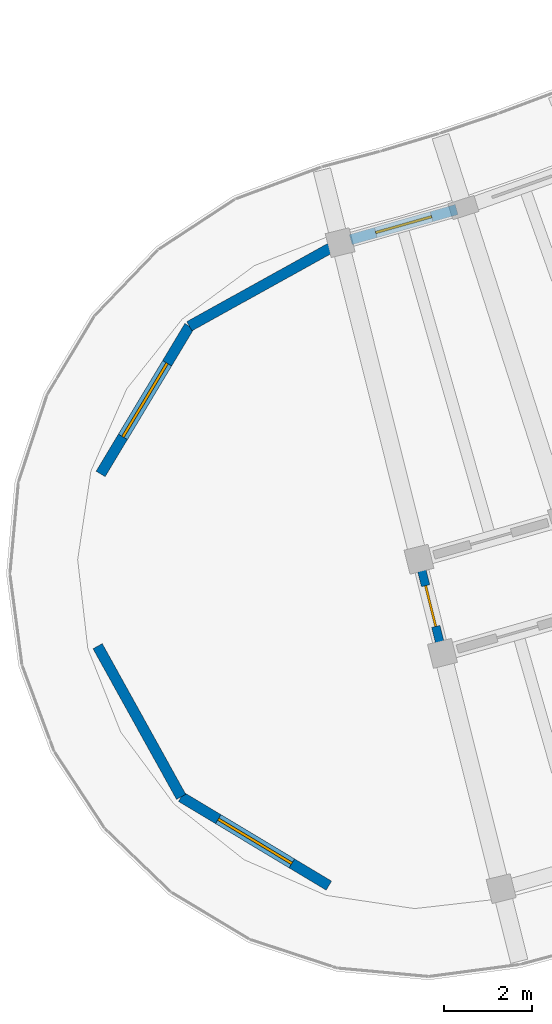
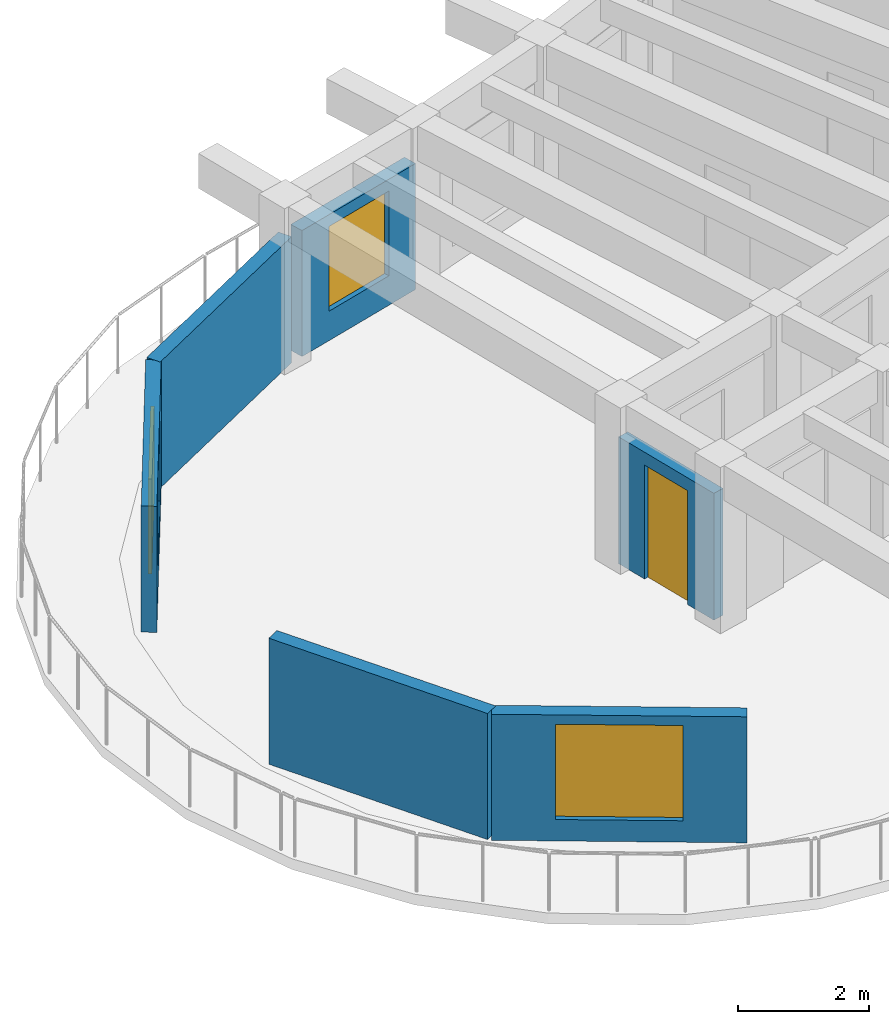
# One storey, part 45 of 81: 6 walls, 3 windows, 1 door, 4 openings.
"""IFC4 building model written with IfcOpenShell, lengths in metres."""

from ifc_helpers import new_model, si_unit, direction, frame, frame_2d, origin, place, context, subcontext, project, spatial, rectangle, extrude, material, layer, layer_set, type_object, element, fill, save


model = new_model("IFC4")

# Units and contexts
model_context = context("Model", 3, precision=1e-05, world=origin(), true_north=direction((0.0, 1.0)))
body_context = subcontext(model_context, "Body", "Model", "MODEL_VIEW")
ifc_project = project(units=[si_unit("LENGTHUNIT", "METRE"), si_unit("AREAUNIT", "SQUARE_METRE"), si_unit("VOLUMEUNIT", "CUBIC_METRE"), si_unit("PLANEANGLEUNIT", "RADIAN"), si_unit("MASSUNIT", "GRAM", prefix="KILO")], contexts=[model_context])

# Site, building, storey
site_placement = place(None, origin())
site = spatial("IfcSite", under=ifc_project, at=site_placement, CompositionType="ELEMENT")
building_placement = place(site_placement, origin())
building = spatial("IfcBuilding", under=site, at=building_placement, Name="Tanwirah Colonnade Gardens", CompositionType="ELEMENT")
storey_placement = place(building_placement, frame((0.0, 0.0, 8.840087890625)))
storey = spatial("IfcBuildingStorey", under=building, at=storey_placement, Name="L02", CompositionType="ELEMENT", Elevation=8.840087890625)

# Wall, opening, window
ifc_material_1 = material(Name="Limestone architectural precast concrete C40/50", Category="masonry")
ifc_layer_1 = layer(ifc_material_1, 0.239990234375)
ifc_layer_set_1 = layer_set([ifc_layer_1], Name="Limestone architectural precast concrete C40/50")
wall_type_1 = type_object("IfcWallType", Name="EW-PC240", PredefinedType="SOLIDWALL", material=ifc_layer_set_1)
wall_1_placement = place(storey_placement, frame((131.993896484375, 21.438720703125, 0.0), z_axis=(0.0, 0.0, 1.0), x_axis=(0.961847744742, 0.273585299195, 0.0)))
wall_1 = element("IfcWall", 1, at=wall_1_placement, inside=storey, type_object=wall_type_1, Name="Block D L02 IN Precast Facade Wall 0", PredefinedType="SOLIDWALL", context=body_context, shape_type="SweptSolid", body=[
    extrude(rectangle(XDim=2.49853515625, YDim=0.239990234375, at=frame_2d((1.249267578125, 0.0))), origin(), (0.0, 0.0, 1.0), 2.35498046875),
])
opening_1_placement = place(wall_1_placement, frame((0.58935546875, 0.0, 0.550048828125)))
opening_1 = element("IfcOpeningElement", 2, at=opening_1_placement, cuts=wall_1, Name="Opening WIN-U05", PredefinedType="OPENING", context=body_context, shape_type="SweptSolid", body=[
    extrude(rectangle(XDim=1.320068359375, YDim=1.5849609375, at=frame_2d((0.66015625, 0.79248046875))), frame((0.0, 0.1298828125, 0.0), z_axis=(0.0, -1.0, 0.0), x_axis=(1.0, 0.0, 0.0)), (0.0, 0.0, 1.0), 0.260009765625),
])
ifc_material_2 = material(Name="Thermally broken bronze aluminium and solar low-E double glazing", Category="aluminium")
window_type_1 = type_object("IfcWindowType", Name="WIN-U05", PartitioningType="DOUBLE_PANEL_VERTICAL", PredefinedType="WINDOW", material=ifc_material_2)
window_1_placement = place(opening_1_placement, origin())
window_1 = element("IfcWindow", 3, at=window_1_placement, inside=storey, type_object=window_type_1, Name="Facade window D-L02-IN-00", OverallHeight=1.5849609375, OverallWidth=1.320068359375, PartitioningType="SINGLE_PANEL", PredefinedType="WINDOW", context=body_context, shape_type="SweptSolid", body=[
    extrude(rectangle(XDim=1.320068359375, YDim=1.5849609375, at=frame_2d((0.66015625, 0.79248046875))), frame((0.0, 0.030029296875, 0.0), z_axis=(0.0, -1.0, 0.0), x_axis=(1.0, 0.0, 0.0)), (0.0, 0.0, 1.0), 0.06005859375),
])
fill(opening_1, window_1)

wall_2_placement = place(storey_placement, frame((131.498779296875, 6.787109375, 0.0), z_axis=(0.0, 0.0, 1.0), x_axis=(-0.85715098885, 0.515065221417, 0.0)))
wall_2 = element("IfcWall", 4, at=wall_2_placement, inside=storey, type_object=wall_type_1, Name="Block D L02 START Rounded End Wall 1", PredefinedType="SOLIDWALL", context=body_context, shape_type="SweptSolid", body=[
    extrude(rectangle(XDim=3.908203125, YDim=0.239990234375, at=frame_2d((1.9541015625, 0.0))), origin(), (0.0, 0.0, 1.0), 2.35498046875),
])
opening_2_placement = place(wall_2_placement, frame((0.97900390625, 0.0, 0.39990234375)))
opening_2 = element("IfcOpeningElement", 5, at=opening_2_placement, cuts=wall_2, Name="Opening WIN-END2", PredefinedType="OPENING", context=body_context, shape_type="SweptSolid", body=[
    extrude(rectangle(XDim=1.949951171875, YDim=1.780029296875, at=frame_2d((0.97509765625, 0.89013671875))), frame((0.0, 0.1298828125, 0.0), z_axis=(0.0, -1.0, 0.0), x_axis=(1.0, 0.0, 0.0)), (0.0, 0.0, 1.0), 0.260009765625),
])
window_type_2 = type_object("IfcWindowType", Name="WIN-END2", PartitioningType="TRIPLE_PANEL_VERTICAL", PredefinedType="WINDOW", material=ifc_material_2)
window_2_placement = place(opening_2_placement, origin())
window_2 = element("IfcWindow", 6, at=window_2_placement, inside=storey, type_object=window_type_2, Name="Rounded corner window D-L02-START-1", OverallHeight=1.780029296875, OverallWidth=1.949951171875, PartitioningType="SINGLE_PANEL", PredefinedType="WINDOW", context=body_context, shape_type="SweptSolid", body=[
    extrude(rectangle(XDim=1.949951171875, YDim=1.780029296875, at=frame_2d((0.97509765625, 0.89013671875))), frame((0.0, 0.030029296875, 0.0), z_axis=(0.0, -1.0, 0.0), x_axis=(1.0, 0.0, 0.0)), (0.0, 0.0, 1.0), 0.06005859375),
])
fill(opening_2, window_2)

# Wall
wall_3_placement = place(storey_placement, frame((128.14892578125, 8.800048828125, 0.0), z_axis=(0.0, 0.0, 1.0), x_axis=(-0.484841794757, 0.874601871743, 0.0)))
element("IfcWall", 7, at=wall_3_placement, inside=storey, type_object=wall_type_1, Name="Block D L02 START Rounded End Wall 2", PredefinedType="SOLIDWALL", context=body_context, shape_type="SweptSolid", body=[
    extrude(rectangle(XDim=3.907958984375, YDim=0.239990234375, at=frame_2d((1.9541015625, 0.0))), origin(), (0.0, 0.0, 1.0), 2.35498046875),
])

# Wall, opening, window
wall_4_placement = place(storey_placement, frame((126.322509765625, 16.125732421875, 0.0), z_axis=(0.0, 0.0, 1.0), x_axis=(0.515019321998, 0.857178568309, 0.0)))
wall_4 = element("IfcWall", 8, at=wall_4_placement, inside=storey, type_object=wall_type_1, Name="Block D L02 START Rounded End Wall 4", PredefinedType="SOLIDWALL", context=body_context, shape_type="SweptSolid", body=[
    extrude(rectangle(XDim=3.907958984375, YDim=0.239990234375, at=frame_2d((1.9541015625, 0.0))), origin(), (0.0, 0.0, 1.0), 2.35498046875),
])
opening_3_placement = place(wall_4_placement, frame((0.97900390625, 0.0, 0.39990234375)))
opening_3 = element("IfcOpeningElement", 9, at=opening_3_placement, cuts=wall_4, Name="Opening WIN-END2", PredefinedType="OPENING", context=body_context, shape_type="SweptSolid", body=[
    extrude(rectangle(XDim=1.949951171875, YDim=1.780029296875, at=frame_2d((0.97509765625, 0.89013671875))), frame((0.0, 0.1298828125, 0.0), z_axis=(0.0, -1.0, 0.0), x_axis=(1.0, 0.0, 0.0)), (0.0, 0.0, 1.0), 0.260009765625),
])
window_3_placement = place(opening_3_placement, origin())
window_3 = element("IfcWindow", 10, at=window_3_placement, inside=storey, type_object=window_type_2, Name="Rounded corner window D-L02-START-4", OverallHeight=1.780029296875, OverallWidth=1.949951171875, PartitioningType="SINGLE_PANEL", PredefinedType="WINDOW", context=body_context, shape_type="SweptSolid", body=[
    extrude(rectangle(XDim=1.949951171875, YDim=1.780029296875, at=frame_2d((0.97509765625, 0.89013671875))), frame((0.0, 0.030029296875, 0.0), z_axis=(0.0, -1.0, 0.0), x_axis=(1.0, 0.0, 0.0)), (0.0, 0.0, 1.0), 0.06005859375),
])
fill(opening_3, window_3)

# Wall
wall_5_placement = place(storey_placement, frame((128.335205078125, 19.4755859375, 0.0), z_axis=(0.0, 0.0, 1.0), x_axis=(0.874616555828, 0.48481530532, 0.0)))
element("IfcWall", 11, at=wall_5_placement, inside=storey, type_object=wall_type_1, Name="Block D L02 START Rounded End Wall 5", PredefinedType="SOLIDWALL", context=body_context, shape_type="SweptSolid", body=[
    extrude(rectangle(XDim=3.908203125, YDim=0.239990234375, at=frame_2d((1.9541015625, 0.0))), origin(), (0.0, 0.0, 1.0), 2.35498046875),
])

# Wall, opening, door
ifc_material_3 = material(Name="Precast concrete C40/50", Category="concrete")
ifc_layer_2 = layer(ifc_material_3, 0.195068359375)
ifc_layer_set_2 = layer_set([ifc_layer_2], Name="Precast concrete C40/50")
wall_type_2 = type_object("IfcWallType", Name="IW-CORR195", PredefinedType="PARTITIONING", material=ifc_layer_set_2)
wall_6_placement = place(storey_placement, frame((133.5556640625, 14.1416015625, 0.0), z_axis=(0.0, 0.0, 1.0), x_axis=(0.241933770084, -0.970292765557, 0.0)))
wall_6 = element("IfcWall", 12, at=wall_6_placement, inside=storey, type_object=wall_type_2, Name="Block D L02 CS Corner Suite Corridor Wall", PredefinedType="PARTITIONING", context=body_context, shape_type="SweptSolid", body=[
    extrude(rectangle(XDim=2.10009765625, YDim=0.195068359375, at=frame_2d((1.050048828125, 0.0))), origin(), (0.0, 0.0, 1.0), 2.369873046875),
])
opening_4_placement = place(wall_6_placement, frame((0.570068359375, 0.0, 0.0)))
opening_4 = element("IfcOpeningElement", 13, at=opening_4_placement, cuts=wall_6, Name="Opening L02-CD1760", PredefinedType="OPENING", context=body_context, shape_type="SweptSolid", body=[
    extrude(rectangle(XDim=0.949951171875, YDim=2.1298828125, at=frame_2d((0.47509765625, 1.06494140625))), frame((0.0, 0.107421875, 0.0), z_axis=(0.0, -1.0, 0.0), x_axis=(1.0, 0.0, 0.0)), (0.0, 0.0, 1.0), 0.215087890625),
])
ifc_material_4 = material(Name="Solid oak fire-resisting apartment entrance door")
door_type = type_object("IfcDoorType", Name="ID-FLT095", OperationType="NOTDEFINED", PredefinedType="DOOR", material=ifc_material_4)
door_placement = place(opening_4_placement, origin())
door = element("IfcDoor", 14, at=door_placement, inside=storey, type_object=door_type, Name="Corner suite entrance door L02-CD1760", OperationType="SINGLE_SWING_LEFT", OverallHeight=2.1298828125, OverallWidth=0.949951171875, PredefinedType="DOOR", context=body_context, shape_type="SweptSolid", body=[
    extrude(rectangle(XDim=0.949951171875, YDim=2.1298828125, at=frame_2d((0.47509765625, 1.06494140625))), frame((0.0, 0.02490234375, 0.0), z_axis=(0.0, -1.0, 0.0), x_axis=(1.0, 0.0, 0.0)), (0.0, 0.0, 1.0), 0.050048828125),
])
fill(opening_4, door)

save(model, "model.ifc")
